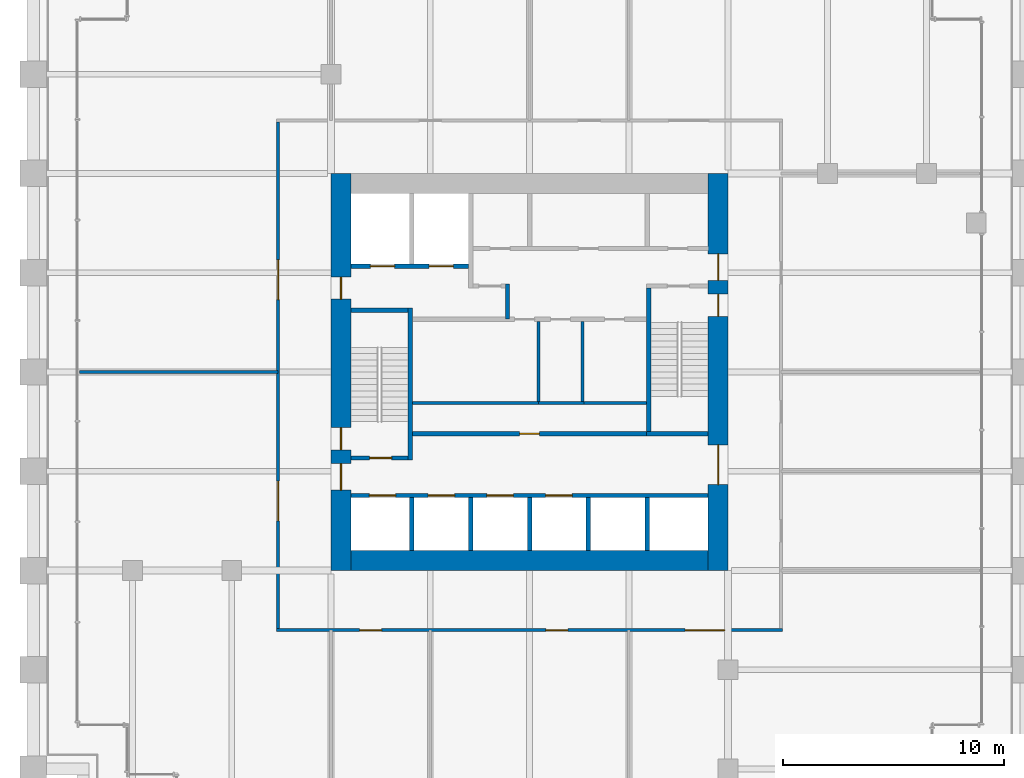
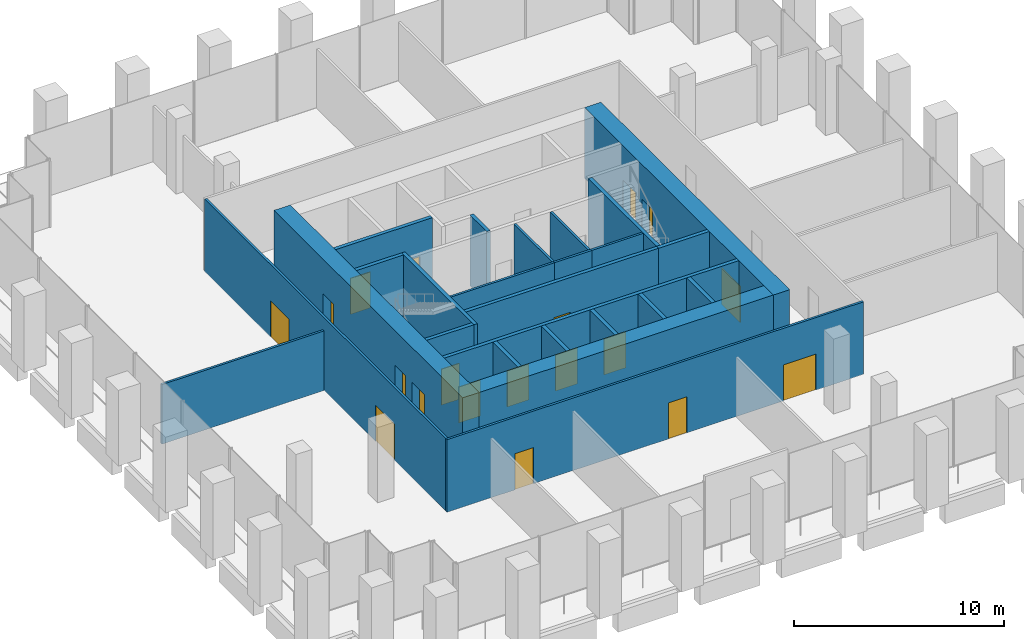
# One storey, part 30 of 36: 25 walls, 19 doors, 19 openings.
"""IFC4 building model written with IfcOpenShell, lengths in metres."""

from ifc_helpers import new_model, si_unit, direction, frame, frame_2d, origin, place, context, subcontext, project, spatial, rectangle, extrude, material, layer, layer_set, type_object, element, fill, save


model = new_model("IFC4")

# Units and contexts
model_context = context("Model", 3, precision=1e-05, world=origin(), true_north=direction((0.0, 1.0)))
body_context = subcontext(model_context, "Body", "Model", "MODEL_VIEW")
ifc_project = project(units=[si_unit("LENGTHUNIT", "METRE"), si_unit("AREAUNIT", "SQUARE_METRE"), si_unit("VOLUMEUNIT", "CUBIC_METRE"), si_unit("PLANEANGLEUNIT", "RADIAN"), si_unit("MASSUNIT", "GRAM", prefix="KILO")], contexts=[model_context])

# Site, building, storey
site_placement = place(None, origin())
site = spatial("IfcSite", under=ifc_project, at=site_placement, CompositionType="ELEMENT")
building_placement = place(site_placement, origin())
building = spatial("IfcBuilding", under=site, at=building_placement, Name="Altepetl Exchange Towers", CompositionType="ELEMENT")
storey_placement = place(building_placement, frame((0.0, 0.0, 38.60009765625)))
storey = spatial("IfcBuildingStorey", under=building, at=storey_placement, Name="L08", CompositionType="ELEMENT", Elevation=38.60009765625)

# Wall, openings, doors
ifc_material_1 = material(Name="Concrete C70/85", Category="concrete")
ifc_layer_1 = layer(ifc_material_1, 0.89990234375)
ifc_layer_set_1 = layer_set([ifc_layer_1], Name="Concrete C70/85")
wall_type_1 = type_object("IfcWallType", Name="Core wall 900 reinforced concrete", PredefinedType="SHEAR", material=ifc_layer_set_1)
wall_1_placement = place(storey_placement, frame((58.050048828125, 40.5, 0.0), z_axis=(0.0, 0.0, 1.0), x_axis=(0.0, 1.0, 0.0)))
wall_1 = element("IfcWall", 1, at=wall_1_placement, inside=storey, type_object=wall_type_1, Name="wall:A:L08:K-coreE", PredefinedType="SHEAR", context=body_context, shape_type="SweptSolid", body=[
    extrude(rectangle(XDim=18.0, YDim=0.89990234375, at=frame_2d((9.0, 0.0))), origin(), (0.0, 0.0, 1.0), 4.125),
])
opening_1_placement = place(wall_1_placement, frame((13.14990234375, 0.0, 0.0)))
opening_1 = element("IfcOpeningElement", 2, at=opening_1_placement, cuts=wall_1, Name="Opening L08.A60", PredefinedType="OPENING", context=body_context, shape_type="SweptSolid", body=[
    extrude(rectangle(XDim=1.199951171875, YDim=2.10009765625, at=frame_2d((0.60009765625, 1.050048828125))), frame((0.0, 0.4599609375, 0.0), z_axis=(0.0, -1.0, 0.0), x_axis=(1.0, 0.0, 0.0)), (0.0, 0.0, 1.0), 0.919921875),
])
opening_2_placement = place(wall_1_placement, frame((3.89990234375, 0.0, 0.0)))
opening_2 = element("IfcOpeningElement", 3, at=opening_2_placement, cuts=wall_1, Name="Opening L08.A61", PredefinedType="OPENING", context=body_context, shape_type="SweptSolid", body=[
    extrude(rectangle(XDim=1.800048828125, YDim=2.10009765625, at=frame_2d((0.89990234375, 1.050048828125))), frame((0.0, 0.4599609375, 0.0), z_axis=(0.0, -1.0, 0.0), x_axis=(1.0, 0.0, 0.0)), (0.0, 0.0, 1.0), 0.919921875),
])
opening_3_placement = place(wall_1_placement, frame((11.52490234375, 0.0, 0.0)))
opening_3 = element("IfcOpeningElement", 4, at=opening_3_placement, cuts=wall_1, Name="Opening L08.A66", PredefinedType="OPENING", context=body_context, shape_type="SweptSolid", body=[
    extrude(rectangle(XDim=1.0, YDim=2.10009765625, at=frame_2d((0.5, 1.050048828125))), frame((0.0, 0.4599609375, 0.0), z_axis=(0.0, -1.0, 0.0), x_axis=(1.0, 0.0, 0.0)), (0.0, 0.0, 1.0), 0.919921875),
])
ifc_material_2 = material(Name="Steel and timber fire door", Category="steel")
door_type_1 = type_object("IfcDoorType", Name="Fire door 1000 x 2100 stair and lobby", OperationType="SINGLE_SWING_LEFT", PredefinedType="DOOR", material=ifc_material_2)
door_1_placement = place(opening_3_placement, origin())
door_1 = element("IfcDoor", 5, at=door_1_placement, inside=storey, type_object=door_type_1, Name="door:A:L08:K-dS2x", OperationType="SINGLE_SWING_RIGHT", OverallHeight=2.10009765625, OverallWidth=1.0, PredefinedType="DOOR", context=body_context, shape_type="SweptSolid", body=[
    extrude(rectangle(XDim=1.0, YDim=2.10009765625, at=frame_2d((0.5, 1.050048828125))), frame((0.0, 0.02490234375, 0.0), z_axis=(0.0, -1.0, 0.0), x_axis=(1.0, 0.0, 0.0)), (0.0, 0.0, 1.0), 0.050048828125),
])
fill(opening_3, door_1)
door_type_2 = type_object("IfcDoorType", Name="Fire door 1200 x 2100 lobby entry", OperationType="SINGLE_SWING_LEFT", PredefinedType="DOOR", material=ifc_material_2)
door_2_placement = place(opening_1_placement, origin())
door_2 = element("IfcDoor", 6, at=door_2_placement, inside=storey, type_object=door_type_2, Name="door:A:L08:K-dLNE", OperationType="SINGLE_SWING_RIGHT", OverallHeight=2.10009765625, OverallWidth=1.199951171875, PredefinedType="DOOR", context=body_context, shape_type="SweptSolid", body=[
    extrude(rectangle(XDim=1.199951171875, YDim=2.10009765625, at=frame_2d((0.60009765625, 1.050048828125))), frame((0.0, 0.02490234375, 0.0), z_axis=(0.0, -1.0, 0.0), x_axis=(1.0, 0.0, 0.0)), (0.0, 0.0, 1.0), 0.050048828125),
])
fill(opening_1, door_2)
door_type_3 = type_object("IfcDoorType", Name="Fire door 1800 x 2100 lobby entry", OperationType="DOUBLE_DOOR_SINGLE_SWING", PredefinedType="DOOR", material=ifc_material_2)
door_3_placement = place(opening_2_placement, origin())
door_3 = element("IfcDoor", 7, at=door_3_placement, inside=storey, type_object=door_type_3, Name="door:A:L08:K-dLSE", OperationType="DOUBLE_DOOR_SINGLE_SWING", OverallHeight=2.10009765625, OverallWidth=1.800048828125, PredefinedType="DOOR", context=body_context, shape_type="SweptSolid", body=[
    extrude(rectangle(XDim=1.800048828125, YDim=2.10009765625, at=frame_2d((0.89990234375, 1.050048828125))), frame((0.0, 0.02490234375, 0.0), z_axis=(0.0, -1.0, 0.0), x_axis=(1.0, 0.0, 0.0)), (0.0, 0.0, 1.0), 0.050048828125),
])
fill(opening_2, door_3)

# Wall
wall_2_placement = place(storey_placement, frame((41.39990234375, 40.949951171875, 0.0)))
element("IfcWall", 8, at=wall_2_placement, inside=storey, type_object=wall_type_1, Name="wall:A:L08:K-coreS", PredefinedType="SHEAR", context=body_context, shape_type="SweptSolid", body=[
    extrude(rectangle(XDim=16.2001953125, YDim=0.89990234375, at=frame_2d((8.10009765625, 0.0))), origin(), (0.0, 0.0, 1.0), 4.125),
])

# Wall, openings, doors
wall_3_placement = place(storey_placement, frame((40.949951171875, 40.5, 0.0), z_axis=(0.0, 0.0, 1.0), x_axis=(0.0, 1.0, 0.0)))
wall_3 = element("IfcWall", 9, at=wall_3_placement, inside=storey, type_object=wall_type_1, Name="wall:A:L08:K-coreW", PredefinedType="SHEAR", context=body_context, shape_type="SweptSolid", body=[
    extrude(rectangle(XDim=18.0, YDim=0.89990234375, at=frame_2d((9.0, 0.0))), origin(), (0.0, 0.0, 1.0), 4.125),
])
opening_4_placement = place(wall_3_placement, frame((3.64990234375, 0.0, 0.0)))
opening_4 = element("IfcOpeningElement", 10, at=opening_4_placement, cuts=wall_3, Name="Opening L08.A62", PredefinedType="OPENING", context=body_context, shape_type="SweptSolid", body=[
    extrude(rectangle(XDim=1.199951171875, YDim=2.10009765625, at=frame_2d((0.60009765625, 1.050048828125))), frame((0.0, 0.4599609375, 0.0), z_axis=(0.0, -1.0, 0.0), x_axis=(1.0, 0.0, 0.0)), (0.0, 0.0, 1.0), 0.919921875),
])
opening_5_placement = place(wall_3_placement, frame((5.47509765625, 0.0, 0.0)))
opening_5 = element("IfcOpeningElement", 11, at=opening_5_placement, cuts=wall_3, Name="Opening L08.A64", PredefinedType="OPENING", context=body_context, shape_type="SweptSolid", body=[
    extrude(rectangle(XDim=1.0, YDim=2.10009765625, at=frame_2d((0.5, 1.050048828125))), frame((0.0, 0.4599609375, 0.0), z_axis=(0.0, -1.0, 0.0), x_axis=(1.0, 0.0, 0.0)), (0.0, 0.0, 1.0), 0.919921875),
])
opening_6_placement = place(wall_3_placement, frame((12.300048828125, 0.0, 0.0)))
opening_6 = element("IfcOpeningElement", 12, at=opening_6_placement, cuts=wall_3, Name="Opening L08.A68", PredefinedType="OPENING", context=body_context, shape_type="SweptSolid", body=[
    extrude(rectangle(XDim=1.0, YDim=2.10009765625, at=frame_2d((0.5, 1.050048828125))), frame((0.0, 0.4599609375, 0.0), z_axis=(0.0, -1.0, 0.0), x_axis=(1.0, 0.0, 0.0)), (0.0, 0.0, 1.0), 0.919921875),
])
door_4_placement = place(opening_5_placement, frame((1.0, 0.0, 0.0), x_axis=(-1.0, 0.0, 0.0)))
door_4 = element("IfcDoor", 13, at=door_4_placement, inside=storey, type_object=door_type_1, Name="door:A:L08:K-dS1x", OperationType="SINGLE_SWING_RIGHT", OverallHeight=2.10009765625, OverallWidth=1.0, PredefinedType="DOOR", context=body_context, shape_type="SweptSolid", body=[
    extrude(rectangle(XDim=1.0, YDim=2.10009765625, at=frame_2d((0.5, 1.050048828125))), frame((0.0, 0.02490234375, 0.0), z_axis=(0.0, -1.0, 0.0), x_axis=(1.0, 0.0, 0.0)), (0.0, 0.0, 1.0), 0.050048828125),
])
fill(opening_5, door_4)
door_5_placement = place(opening_6_placement, frame((1.0, 0.0, 0.0), x_axis=(-1.0, 0.0, 0.0)))
door_5 = element("IfcDoor", 14, at=door_5_placement, inside=storey, type_object=door_type_1, Name="door:A:L08:K-dffW", OperationType="SINGLE_SWING_LEFT", OverallHeight=2.10009765625, OverallWidth=1.0, PredefinedType="DOOR", context=body_context, shape_type="SweptSolid", body=[
    extrude(rectangle(XDim=1.0, YDim=2.10009765625, at=frame_2d((0.5, 1.050048828125))), frame((0.0, 0.02490234375, 0.0), z_axis=(0.0, -1.0, 0.0), x_axis=(1.0, 0.0, 0.0)), (0.0, 0.0, 1.0), 0.050048828125),
])
fill(opening_6, door_5)
door_6_placement = place(opening_4_placement, frame((1.199951171875, 0.0, 0.0), x_axis=(-1.0, 0.0, 0.0)))
door_6 = element("IfcDoor", 15, at=door_6_placement, inside=storey, type_object=door_type_2, Name="door:A:L08:K-dLSW", OperationType="SINGLE_SWING_LEFT", OverallHeight=2.10009765625, OverallWidth=1.199951171875, PredefinedType="DOOR", context=body_context, shape_type="SweptSolid", body=[
    extrude(rectangle(XDim=1.199951171875, YDim=2.10009765625, at=frame_2d((0.60009765625, 1.050048828125))), frame((0.0, 0.02490234375, 0.0), z_axis=(0.0, -1.0, 0.0), x_axis=(1.0, 0.0, 0.0)), (0.0, 0.0, 1.0), 0.050048828125),
])
fill(opening_4, door_6)

# Wall
ifc_material_3 = material(Name="Concrete blockwork", Category="masonry")
ifc_layer_2 = layer(ifc_material_3, 0.199951171875)
ifc_layer_set_2 = layer_set([ifc_layer_2], Name="Concrete blockwork")
wall_type_2 = type_object("IfcWallType", Name="Lobby wall 200 blockwork", PredefinedType="PARTITIONING", material=ifc_layer_set_2)
wall_4_placement = place(storey_placement, frame((48.5, 51.89990234375, 0.0), z_axis=(0.0, 0.0, 1.0), x_axis=(0.0, 1.0, 0.0)))
element("IfcWall", 16, at=wall_4_placement, inside=storey, type_object=wall_type_2, Name="wall:A:L08:K-ffE", PredefinedType="PARTITIONING", context=body_context, shape_type="SweptSolid", body=[
    extrude(rectangle(XDim=1.60009765625, YDim=0.199951171875, at=frame_2d((0.800048828125, 0.0))), origin(), (0.0, 0.0, 1.0), 4.125),
])

# Wall, opening, door
wall_5_placement = place(storey_placement, frame((44.199951171875, 46.699951171875, 0.0)))
wall_5 = element("IfcWall", 17, at=wall_5_placement, inside=storey, type_object=wall_type_2, Name="wall:A:L08:K-zoneS", PredefinedType="PARTITIONING", context=body_context, shape_type="SweptSolid", body=[
    extrude(rectangle(XDim=10.60009765625, YDim=0.199951171875, at=frame_2d((5.300048828125, 0.0))), origin(), (0.0, 0.0, 1.0), 4.125),
])
opening_7_placement = place(wall_5_placement, frame((4.85009765625, 0.0, 0.0)))
opening_7 = element("IfcOpeningElement", 18, at=opening_7_placement, cuts=wall_5, Name="Opening L08.A72", PredefinedType="OPENING", context=body_context, shape_type="SweptSolid", body=[
    extrude(rectangle(XDim=0.89990234375, YDim=2.10009765625, at=frame_2d((0.449951171875, 1.050048828125))), frame((0.0, 0.10986328125, 0.0), z_axis=(0.0, -1.0, 0.0), x_axis=(1.0, 0.0, 0.0)), (0.0, 0.0, 1.0), 0.219970703125),
])
door_type_4 = type_object("IfcDoorType", Name="Fire door 900 x 2100 service room", OperationType="SINGLE_SWING_LEFT", PredefinedType="DOOR", material=ifc_material_2)
door_7_placement = place(opening_7_placement, origin())
door_7 = element("IfcDoor", 19, at=door_7_placement, inside=storey, type_object=door_type_4, Name="door:A:L08:K-dz1", OperationType="SINGLE_SWING_LEFT", OverallHeight=2.10009765625, OverallWidth=0.89990234375, PredefinedType="DOOR", context=body_context, shape_type="SweptSolid", body=[
    extrude(rectangle(XDim=0.89990234375, YDim=2.10009765625, at=frame_2d((0.449951171875, 1.050048828125))), frame((0.0, 0.02490234375, 0.0), z_axis=(0.0, -1.0, 0.0), x_axis=(1.0, 0.0, 0.0)), (0.0, 0.0, 1.0), 0.050048828125),
])
fill(opening_7, door_7)

# Walls
ifc_material_4 = material(Name="Gypsum board on steel studs", Category="steel")
ifc_layer_3 = layer(ifc_material_4, 0.125)
ifc_layer_set_3 = layer_set([ifc_layer_3], Name="Gypsum board on steel studs")
wall_type_3 = type_object("IfcWallType", Name="Partition 125 gypsum board on steel studs", PredefinedType="PARTITIONING", material=ifc_layer_set_3)
wall_6_placement = place(storey_placement, frame((49.96240234375, 48.10009765625, 0.0), z_axis=(0.0, 0.0, 1.0), x_axis=(-1.0, 0.0, 0.0)))
element("IfcWall", 20, at=wall_6_placement, inside=storey, type_object=wall_type_3, Name="wall:A:L08:K-zp1", PredefinedType="PARTITIONING", context=body_context, shape_type="SweptSolid", body=[
    extrude(rectangle(XDim=5.762451171875, YDim=0.125, at=frame_2d((2.88134765625, 0.0))), origin(), (0.0, 0.0, 1.0), 4.125),
])
wall_7_placement = place(storey_placement, frame((51.96240234375, 48.10009765625, 0.0), z_axis=(0.0, 0.0, 1.0), x_axis=(-1.0, 0.0, 0.0)))
element("IfcWall", 21, at=wall_7_placement, inside=storey, type_object=wall_type_3, Name="wall:A:L08:K-zp2", PredefinedType="PARTITIONING", context=body_context, shape_type="SweptSolid", body=[
    extrude(rectangle(XDim=2.0625, YDim=0.125, at=frame_2d((1.03125, 0.0))), origin(), (0.0, 0.0, 1.0), 4.125),
])
wall_8_placement = place(storey_placement, frame((49.89990234375, 48.16259765625, 0.0), z_axis=(0.0, 0.0, 1.0), x_axis=(0.0, 1.0, 0.0)))
element("IfcWall", 22, at=wall_8_placement, inside=storey, type_object=wall_type_3, Name="wall:A:L08:K-zp3", PredefinedType="PARTITIONING", context=body_context, shape_type="SweptSolid", body=[
    extrude(rectangle(XDim=3.637451171875, YDim=0.125, at=frame_2d((1.81884765625, 0.0))), origin(), (0.0, 0.0, 1.0), 4.125),
])
wall_9_placement = place(storey_placement, frame((54.800048828125, 48.10009765625, 0.0), z_axis=(0.0, 0.0, 1.0), x_axis=(-1.0, 0.0, 0.0)))
element("IfcWall", 23, at=wall_9_placement, inside=storey, type_object=wall_type_3, Name="wall:A:L08:K-zp4", PredefinedType="PARTITIONING", context=body_context, shape_type="SweptSolid", body=[
    extrude(rectangle(XDim=2.900146484375, YDim=0.125, at=frame_2d((1.4501953125, 0.0))), origin(), (0.0, 0.0, 1.0), 4.125),
])
wall_10_placement = place(storey_placement, frame((51.89990234375, 48.16259765625, 0.0), z_axis=(0.0, 0.0, 1.0), x_axis=(0.0, 1.0, 0.0)))
element("IfcWall", 24, at=wall_10_placement, inside=storey, type_object=wall_type_3, Name="wall:A:L08:K-zp5", PredefinedType="PARTITIONING", context=body_context, shape_type="SweptSolid", body=[
    extrude(rectangle(XDim=3.637451171875, YDim=0.125, at=frame_2d((1.81884765625, 0.0))), origin(), (0.0, 0.0, 1.0), 4.125),
])

# Wall, openings, doors
wall_11_placement = place(storey_placement, frame((38.03759765625, 37.800048828125, 0.0)))
wall_11 = element("IfcWall", 25, at=wall_11_placement, inside=storey, type_object=wall_type_3, Name="wall:A:L08:P01", PredefinedType="PARTITIONING", context=body_context, shape_type="SweptSolid", body=[
    extrude(rectangle(XDim=22.9248046875, YDim=0.125, at=frame_2d((11.46240234375, 0.0))), origin(), (0.0, 0.0, 1.0), 4.224853515625),
])
opening_8_placement = place(wall_11_placement, frame((3.757568359375, 0.0, 0.0)))
opening_8 = element("IfcOpeningElement", 26, at=opening_8_placement, cuts=wall_11, Name="Opening L08.A02", PredefinedType="OPENING", context=body_context, shape_type="SweptSolid", body=[
    extrude(rectangle(XDim=1.0, YDim=2.10009765625, at=frame_2d((0.5, 1.050048828125))), frame((0.0, 0.072509765625, 0.0), z_axis=(0.0, -1.0, 0.0), x_axis=(1.0, 0.0, 0.0)), (0.0, 0.0, 1.0), 0.14501953125),
])
opening_9_placement = place(wall_11_placement, frame((12.20458984375, 0.0, 0.0)))
opening_9 = element("IfcOpeningElement", 27, at=opening_9_placement, cuts=wall_11, Name="Opening L08.A03", PredefinedType="OPENING", context=body_context, shape_type="SweptSolid", body=[
    extrude(rectangle(XDim=1.0, YDim=2.10009765625, at=frame_2d((0.5, 1.050048828125))), frame((0.0, 0.072509765625, 0.0), z_axis=(0.0, -1.0, 0.0), x_axis=(1.0, 0.0, 0.0)), (0.0, 0.0, 1.0), 0.14501953125),
])
opening_10_placement = place(wall_11_placement, frame((18.512451171875, 0.0, 0.0)))
opening_10 = element("IfcOpeningElement", 28, at=opening_10_placement, cuts=wall_11, Name="Opening L08.A04", PredefinedType="OPENING", context=body_context, shape_type="SweptSolid", body=[
    extrude(rectangle(XDim=1.800048828125, YDim=2.10009765625, at=frame_2d((0.89990234375, 1.050048828125))), frame((0.0, 0.072509765625, 0.0), z_axis=(0.0, -1.0, 0.0), x_axis=(1.0, 0.0, 0.0)), (0.0, 0.0, 1.0), 0.14501953125),
])
door_type_5 = type_object("IfcDoorType", Name="Fire door 1000 x 2100 single leaf", OperationType="SINGLE_SWING_LEFT", PredefinedType="DOOR", material=ifc_material_2)
door_8_placement = place(opening_8_placement, frame((1.0, 0.0, 0.0), x_axis=(-1.0, 0.0, 0.0)))
door_8 = element("IfcDoor", 29, at=door_8_placement, inside=storey, type_object=door_type_5, Name="door:A:L08:02", OperationType="SINGLE_SWING_RIGHT", OverallHeight=2.10009765625, OverallWidth=1.0, PredefinedType="DOOR", context=body_context, shape_type="SweptSolid", body=[
    extrude(rectangle(XDim=1.0, YDim=2.10009765625, at=frame_2d((0.5, 1.050048828125))), frame((0.0, 0.02490234375, 0.0), z_axis=(0.0, -1.0, 0.0), x_axis=(1.0, 0.0, 0.0)), (0.0, 0.0, 1.0), 0.050048828125),
])
fill(opening_8, door_8)
door_9_placement = place(opening_9_placement, frame((1.0, 0.0, 0.0), x_axis=(-1.0, 0.0, 0.0)))
door_9 = element("IfcDoor", 30, at=door_9_placement, inside=storey, type_object=door_type_5, Name="door:A:L08:03", OperationType="SINGLE_SWING_LEFT", OverallHeight=2.10009765625, OverallWidth=1.0, PredefinedType="DOOR", context=body_context, shape_type="SweptSolid", body=[
    extrude(rectangle(XDim=1.0, YDim=2.10009765625, at=frame_2d((0.5, 1.050048828125))), frame((0.0, 0.02490234375, 0.0), z_axis=(0.0, -1.0, 0.0), x_axis=(1.0, 0.0, 0.0)), (0.0, 0.0, 1.0), 0.050048828125),
])
fill(opening_9, door_9)
door_type_6 = type_object("IfcDoorType", Name="Fire door 1800 x 2100 double leaf", OperationType="DOUBLE_DOOR_SINGLE_SWING", PredefinedType="DOOR", material=ifc_material_2)
door_10_placement = place(opening_10_placement, frame((1.800048828125, 0.0, 0.0), x_axis=(-1.0, 0.0, 0.0)))
door_10 = element("IfcDoor", 31, at=door_10_placement, inside=storey, type_object=door_type_6, Name="door:A:L08:04", OperationType="DOUBLE_DOOR_SINGLE_SWING", OverallHeight=2.10009765625, OverallWidth=1.800048828125, PredefinedType="DOOR", context=body_context, shape_type="SweptSolid", body=[
    extrude(rectangle(XDim=1.800048828125, YDim=2.10009765625, at=frame_2d((0.89990234375, 1.050048828125))), frame((0.0, 0.02490234375, 0.0), z_axis=(0.0, -1.0, 0.0), x_axis=(1.0, 0.0, 0.0)), (0.0, 0.0, 1.0), 0.050048828125),
])
fill(opening_10, door_10)

# Wall
wall_12_placement = place(storey_placement, frame((29.10009765625, 49.5, 0.0)))
element("IfcWall", 32, at=wall_12_placement, inside=storey, type_object=wall_type_3, Name="wall:A:L08:P04", PredefinedType="PARTITIONING", context=body_context, shape_type="SweptSolid", body=[
    extrude(rectangle(XDim=9.0, YDim=0.125, at=frame_2d((4.5, 0.0))), origin(), (0.0, 0.0, 1.0), 3.466796875),
])

# Wall, openings, doors
wall_13_placement = place(storey_placement, frame((38.10009765625, 37.862548828125, 0.0), z_axis=(0.0, 0.0, 1.0), x_axis=(0.0, 1.0, 0.0)))
wall_13 = element("IfcWall", 33, at=wall_13_placement, inside=storey, type_object=wall_type_3, Name="wall:A:L08:P10", PredefinedType="PARTITIONING", context=body_context, shape_type="SweptSolid", body=[
    extrude(rectangle(XDim=22.974853515625, YDim=0.125, at=frame_2d((11.4873046875, 0.0))), origin(), (0.0, 0.0, 1.0), 4.224853515625),
])
opening_11_placement = place(wall_13_placement, frame((4.887451171875, 0.0, 0.0)))
opening_11 = element("IfcOpeningElement", 34, at=opening_11_placement, cuts=wall_13, Name="Opening L08.A01", PredefinedType="OPENING", context=body_context, shape_type="SweptSolid", body=[
    extrude(rectangle(XDim=1.800048828125, YDim=2.10009765625, at=frame_2d((0.89990234375, 1.050048828125))), frame((0.0, 0.072509765625, 0.0), z_axis=(0.0, -1.0, 0.0), x_axis=(1.0, 0.0, 0.0)), (0.0, 0.0, 1.0), 0.14501953125),
])
opening_12_placement = place(wall_13_placement, frame((14.91552734375, 0.0, 0.0)))
opening_12 = element("IfcOpeningElement", 35, at=opening_12_placement, cuts=wall_13, Name="Opening L08.A11", PredefinedType="OPENING", context=body_context, shape_type="SweptSolid", body=[
    extrude(rectangle(XDim=1.800048828125, YDim=2.10009765625, at=frame_2d((0.89990234375, 1.050048828125))), frame((0.0, 0.072509765625, 0.0), z_axis=(0.0, -1.0, 0.0), x_axis=(1.0, 0.0, 0.0)), (0.0, 0.0, 1.0), 0.14501953125),
])
door_11_placement = place(opening_11_placement, origin())
door_11 = element("IfcDoor", 36, at=door_11_placement, inside=storey, type_object=door_type_6, Name="door:A:L08:01", OperationType="DOUBLE_DOOR_SINGLE_SWING", OverallHeight=2.10009765625, OverallWidth=1.800048828125, PredefinedType="DOOR", context=body_context, shape_type="SweptSolid", body=[
    extrude(rectangle(XDim=1.800048828125, YDim=2.10009765625, at=frame_2d((0.89990234375, 1.050048828125))), frame((0.0, 0.02490234375, 0.0), z_axis=(0.0, -1.0, 0.0), x_axis=(1.0, 0.0, 0.0)), (0.0, 0.0, 1.0), 0.050048828125),
])
fill(opening_11, door_11)
door_12_placement = place(opening_12_placement, origin())
door_12 = element("IfcDoor", 37, at=door_12_placement, inside=storey, type_object=door_type_6, Name="door:A:L08:11", OperationType="DOUBLE_DOOR_SINGLE_SWING", OverallHeight=2.10009765625, OverallWidth=1.800048828125, PredefinedType="DOOR", context=body_context, shape_type="SweptSolid", body=[
    extrude(rectangle(XDim=1.800048828125, YDim=2.10009765625, at=frame_2d((0.89990234375, 1.050048828125))), frame((0.0, 0.02490234375, 0.0), z_axis=(0.0, -1.0, 0.0), x_axis=(1.0, 0.0, 0.0)), (0.0, 0.0, 1.0), 0.050048828125),
])
fill(opening_12, door_12)

# Walls
ifc_material_5 = material(Name="Concrete C40/50", Category="concrete")
ifc_layer_4 = layer(ifc_material_5, 0.199951171875)
ifc_layer_set_4 = layer_set([ifc_layer_4], Name="Concrete C40/50")
wall_type_4 = type_object("IfcWallType", Name="Shaft wall 200 reinforced concrete", PredefinedType="SHEAR", material=ifc_layer_set_4)
for number, where, z_axis, x_axis, name in (
    (38, (44.166748046875, 41.39990234375, 0.0), (0.0, 0.0, 1.0), (0.0, 1.0, 0.0), "wall:A:L08:K-divS1"),
    (39, (46.833251953125, 41.39990234375, 0.0), (0.0, 0.0, 1.0), (0.0, 1.0, 0.0), "wall:A:L08:K-divS2"),
    (40, (49.5, 41.39990234375, 0.0), (0.0, 0.0, 1.0), (0.0, 1.0, 0.0), "wall:A:L08:K-divS3"),
    (41, (52.166748046875, 41.39990234375, 0.0), (0.0, 0.0, 1.0), (0.0, 1.0, 0.0), "wall:A:L08:K-divS4"),
    (42, (54.833251953125, 41.39990234375, 0.0), (0.0, 0.0, 1.0), (0.0, 1.0, 0.0), "wall:A:L08:K-divS5"),
):
    element("IfcWall", number, at=place(storey_placement, frame(where, z_axis=z_axis, x_axis=x_axis)), inside=storey, type_object=wall_type_4, Name=name, PredefinedType="SHEAR", context=body_context, shape_type="SweptSolid", body=[
        extrude(rectangle(XDim=2.400146484375, YDim=0.199951171875, at=frame_2d((1.2001953125, 0.0))), origin(), (0.0, 0.0, 1.0), 4.125),
    ])

# Wall, openings, doors
wall_14_placement = place(storey_placement, frame((41.39990234375, 54.300048828125, 0.0)))
wall_14 = element("IfcWall", 43, at=wall_14_placement, inside=storey, type_object=wall_type_4, Name="wall:A:L08:K-frontNd", PredefinedType="SHEAR", context=body_context, shape_type="SweptSolid", body=[
    extrude(rectangle(XDim=5.33349609375, YDim=0.199951171875, at=frame_2d((2.666748046875, 0.0))), origin(), (0.0, 0.0, 1.0), 4.125),
])
opening_13_placement = place(wall_14_placement, frame((0.88330078125, 0.0, 0.0)))
opening_13 = element("IfcOpeningElement", 44, at=opening_13_placement, cuts=wall_14, Name="Opening L08.A76", PredefinedType="OPENING", context=body_context, shape_type="SweptSolid", body=[
    extrude(rectangle(XDim=1.10009765625, YDim=2.10009765625, at=frame_2d((0.550048828125, 1.050048828125))), frame((0.0, 0.10986328125, 0.0), z_axis=(0.0, -1.0, 0.0), x_axis=(1.0, 0.0, 0.0)), (0.0, 0.0, 1.0), 0.219970703125),
])
opening_14_placement = place(wall_14_placement, frame((3.550048828125, 0.0, 0.0)))
opening_14 = element("IfcOpeningElement", 45, at=opening_14_placement, cuts=wall_14, Name="Opening L08.A77", PredefinedType="OPENING", context=body_context, shape_type="SweptSolid", body=[
    extrude(rectangle(XDim=1.10009765625, YDim=2.10009765625, at=frame_2d((0.550048828125, 1.050048828125))), frame((0.0, 0.10986328125, 0.0), z_axis=(0.0, -1.0, 0.0), x_axis=(1.0, 0.0, 0.0)), (0.0, 0.0, 1.0), 0.219970703125),
])
ifc_material_6 = material(Name="Stainless steel", Category="steel")
door_type_7 = type_object("IfcDoorType", Name="Lift landing door 1100 x 2100", OperationType="SLIDING_TO_LEFT", PredefinedType="DOOR", material=ifc_material_6)
door_13_placement = place(opening_13_placement, origin())
door_13 = element("IfcDoor", 46, at=door_13_placement, inside=storey, type_object=door_type_7, Name="Landing door FFL1", OperationType="SLIDING_TO_LEFT", OverallHeight=2.10009765625, OverallWidth=1.10009765625, PredefinedType="DOOR", context=body_context, shape_type="SweptSolid", body=[
    extrude(rectangle(XDim=1.10009765625, YDim=2.10009765625, at=frame_2d((0.550048828125, 1.050048828125))), frame((0.0, 0.02490234375, 0.0), z_axis=(0.0, -1.0, 0.0), x_axis=(1.0, 0.0, 0.0)), (0.0, 0.0, 1.0), 0.050048828125),
])
fill(opening_13, door_13)
door_14_placement = place(opening_14_placement, origin())
door_14 = element("IfcDoor", 47, at=door_14_placement, inside=storey, type_object=door_type_7, Name="Landing door FFL2", OperationType="SLIDING_TO_LEFT", OverallHeight=2.10009765625, OverallWidth=1.10009765625, PredefinedType="DOOR", context=body_context, shape_type="SweptSolid", body=[
    extrude(rectangle(XDim=1.10009765625, YDim=2.10009765625, at=frame_2d((0.550048828125, 1.050048828125))), frame((0.0, 0.02490234375, 0.0), z_axis=(0.0, -1.0, 0.0), x_axis=(1.0, 0.0, 0.0)), (0.0, 0.0, 1.0), 0.050048828125),
])
fill(opening_14, door_14)

wall_15_placement = place(storey_placement, frame((41.39990234375, 43.89990234375, 0.0)))
wall_15 = element("IfcWall", 48, at=wall_15_placement, inside=storey, type_object=wall_type_4, Name="wall:A:L08:K-frontS", PredefinedType="SHEAR", context=body_context, shape_type="SweptSolid", body=[
    extrude(rectangle(XDim=16.2001953125, YDim=0.199951171875, at=frame_2d((8.10009765625, 0.0))), origin(), (0.0, 0.0, 1.0), 4.125),
])
opening_15_placement = place(wall_15_placement, frame((0.833251953125, 0.0, 0.0)))
opening_15 = element("IfcOpeningElement", 49, at=opening_15_placement, cuts=wall_15, Name="Opening L08.A78", PredefinedType="OPENING", context=body_context, shape_type="SweptSolid", body=[
    extrude(rectangle(XDim=1.199951171875, YDim=2.10009765625, at=frame_2d((0.60009765625, 1.050048828125))), frame((0.0, 0.10986328125, 0.0), z_axis=(0.0, -1.0, 0.0), x_axis=(1.0, 0.0, 0.0)), (0.0, 0.0, 1.0), 0.219970703125),
])
opening_16_placement = place(wall_15_placement, frame((3.5, 0.0, 0.0)))
opening_16 = element("IfcOpeningElement", 50, at=opening_16_placement, cuts=wall_15, Name="Opening L08.A79", PredefinedType="OPENING", context=body_context, shape_type="SweptSolid", body=[
    extrude(rectangle(XDim=1.199951171875, YDim=2.10009765625, at=frame_2d((0.60009765625, 1.050048828125))), frame((0.0, 0.10986328125, 0.0), z_axis=(0.0, -1.0, 0.0), x_axis=(1.0, 0.0, 0.0)), (0.0, 0.0, 1.0), 0.219970703125),
])
opening_17_placement = place(wall_15_placement, frame((6.166748046875, 0.0, 0.0)))
opening_17 = element("IfcOpeningElement", 51, at=opening_17_placement, cuts=wall_15, Name="Opening L08.A80", PredefinedType="OPENING", context=body_context, shape_type="SweptSolid", body=[
    extrude(rectangle(XDim=1.199951171875, YDim=2.10009765625, at=frame_2d((0.60009765625, 1.050048828125))), frame((0.0, 0.10986328125, 0.0), z_axis=(0.0, -1.0, 0.0), x_axis=(1.0, 0.0, 0.0)), (0.0, 0.0, 1.0), 0.219970703125),
])
opening_18_placement = place(wall_15_placement, frame((8.833251953125, 0.0, 0.0)))
opening_18 = element("IfcOpeningElement", 52, at=opening_18_placement, cuts=wall_15, Name="Opening L08.A81", PredefinedType="OPENING", context=body_context, shape_type="SweptSolid", body=[
    extrude(rectangle(XDim=1.199951171875, YDim=2.10009765625, at=frame_2d((0.60009765625, 1.050048828125))), frame((0.0, 0.10986328125, 0.0), z_axis=(0.0, -1.0, 0.0), x_axis=(1.0, 0.0, 0.0)), (0.0, 0.0, 1.0), 0.219970703125),
])
door_type_8 = type_object("IfcDoorType", Name="Lift landing door 1200 x 2100", OperationType="SLIDING_TO_LEFT", PredefinedType="DOOR", material=ifc_material_6)
door_15_placement = place(opening_15_placement, origin())
door_15 = element("IfcDoor", 53, at=door_15_placement, inside=storey, type_object=door_type_8, Name="Landing door P1", OperationType="SLIDING_TO_LEFT", OverallHeight=2.10009765625, OverallWidth=1.199951171875, PredefinedType="DOOR", context=body_context, shape_type="SweptSolid", body=[
    extrude(rectangle(XDim=1.199951171875, YDim=2.10009765625, at=frame_2d((0.60009765625, 1.050048828125))), frame((0.0, 0.02490234375, 0.0), z_axis=(0.0, -1.0, 0.0), x_axis=(1.0, 0.0, 0.0)), (0.0, 0.0, 1.0), 0.050048828125),
])
fill(opening_15, door_15)
door_16_placement = place(opening_16_placement, origin())
door_16 = element("IfcDoor", 54, at=door_16_placement, inside=storey, type_object=door_type_8, Name="Landing door P2", OperationType="SLIDING_TO_LEFT", OverallHeight=2.10009765625, OverallWidth=1.199951171875, PredefinedType="DOOR", context=body_context, shape_type="SweptSolid", body=[
    extrude(rectangle(XDim=1.199951171875, YDim=2.10009765625, at=frame_2d((0.60009765625, 1.050048828125))), frame((0.0, 0.02490234375, 0.0), z_axis=(0.0, -1.0, 0.0), x_axis=(1.0, 0.0, 0.0)), (0.0, 0.0, 1.0), 0.050048828125),
])
fill(opening_16, door_16)
door_17_placement = place(opening_17_placement, origin())
door_17 = element("IfcDoor", 55, at=door_17_placement, inside=storey, type_object=door_type_8, Name="Landing door P3", OperationType="SLIDING_TO_LEFT", OverallHeight=2.10009765625, OverallWidth=1.199951171875, PredefinedType="DOOR", context=body_context, shape_type="SweptSolid", body=[
    extrude(rectangle(XDim=1.199951171875, YDim=2.10009765625, at=frame_2d((0.60009765625, 1.050048828125))), frame((0.0, 0.02490234375, 0.0), z_axis=(0.0, -1.0, 0.0), x_axis=(1.0, 0.0, 0.0)), (0.0, 0.0, 1.0), 0.050048828125),
])
fill(opening_17, door_17)
door_18_placement = place(opening_18_placement, origin())
door_18 = element("IfcDoor", 56, at=door_18_placement, inside=storey, type_object=door_type_8, Name="Landing door P4", OperationType="SLIDING_TO_LEFT", OverallHeight=2.10009765625, OverallWidth=1.199951171875, PredefinedType="DOOR", context=body_context, shape_type="SweptSolid", body=[
    extrude(rectangle(XDim=1.199951171875, YDim=2.10009765625, at=frame_2d((0.60009765625, 1.050048828125))), frame((0.0, 0.02490234375, 0.0), z_axis=(0.0, -1.0, 0.0), x_axis=(1.0, 0.0, 0.0)), (0.0, 0.0, 1.0), 0.050048828125),
])
fill(opening_18, door_18)

# Walls
ifc_layer_5 = layer(ifc_material_5, 0.199951171875)
ifc_layer_set_5 = layer_set([ifc_layer_5], Name="Concrete C40/50")
wall_type_5 = type_object("IfcWallType", Name="Stair wall 200 reinforced concrete", PredefinedType="SHEAR", material=ifc_layer_set_5)
wall_16_placement = place(storey_placement, frame((44.10009765625, 45.5, 0.0), z_axis=(0.0, 0.0, 1.0), x_axis=(0.0, 1.0, 0.0)))
element("IfcWall", 57, at=wall_16_placement, inside=storey, type_object=wall_type_5, Name="wall:A:L08:K-stS1E", PredefinedType="SHEAR", context=body_context, shape_type="SweptSolid", body=[
    extrude(rectangle(XDim=6.89990234375, YDim=0.199951171875, at=frame_2d((3.449951171875, 0.0))), origin(), (0.0, 0.0, 1.0), 4.125),
])
wall_17_placement = place(storey_placement, frame((41.39990234375, 52.300048828125, 0.0)))
element("IfcWall", 58, at=wall_17_placement, inside=storey, type_object=wall_type_5, Name="wall:A:L08:K-stS1N", PredefinedType="SHEAR", context=body_context, shape_type="SweptSolid", body=[
    extrude(rectangle(XDim=2.60009765625, YDim=0.199951171875, at=frame_2d((1.300048828125, 0.0))), origin(), (0.0, 0.0, 1.0), 4.125),
])

# Wall, opening, door
wall_18_placement = place(storey_placement, frame((41.39990234375, 45.60009765625, 0.0)))
wall_18 = element("IfcWall", 59, at=wall_18_placement, inside=storey, type_object=wall_type_5, Name="wall:A:L08:K-stS1S", PredefinedType="SHEAR", context=body_context, shape_type="SweptSolid", body=[
    extrude(rectangle(XDim=2.60009765625, YDim=0.199951171875, at=frame_2d((1.300048828125, 0.0))), origin(), (0.0, 0.0, 1.0), 4.125),
])
opening_19_placement = place(wall_18_placement, frame((0.85009765625, 0.0, 0.0)))
opening_19 = element("IfcOpeningElement", 60, at=opening_19_placement, cuts=wall_18, Name="Opening L08.A63", PredefinedType="OPENING", context=body_context, shape_type="SweptSolid", body=[
    extrude(rectangle(XDim=1.0, YDim=2.10009765625, at=frame_2d((0.5, 1.050048828125))), frame((0.0, 0.10986328125, 0.0), z_axis=(0.0, -1.0, 0.0), x_axis=(1.0, 0.0, 0.0)), (0.0, 0.0, 1.0), 0.219970703125),
])
door_19_placement = place(opening_19_placement, origin())
door_19 = element("IfcDoor", 61, at=door_19_placement, inside=storey, type_object=door_type_1, Name="door:A:L08:K-dS1in", OperationType="SINGLE_SWING_RIGHT", OverallHeight=2.10009765625, OverallWidth=1.0, PredefinedType="DOOR", context=body_context, shape_type="SweptSolid", body=[
    extrude(rectangle(XDim=1.0, YDim=2.10009765625, at=frame_2d((0.5, 1.050048828125))), frame((0.0, 0.02490234375, 0.0), z_axis=(0.0, -1.0, 0.0), x_axis=(1.0, 0.0, 0.0)), (0.0, 0.0, 1.0), 0.050048828125),
])
fill(opening_19, door_19)

# Walls
wall_19_placement = place(storey_placement, frame((54.800048828125, 46.699951171875, 0.0)))
element("IfcWall", 62, at=wall_19_placement, inside=storey, type_object=wall_type_5, Name="wall:A:L08:K-stS2S", PredefinedType="SHEAR", context=body_context, shape_type="SweptSolid", body=[
    extrude(rectangle(XDim=2.800048828125, YDim=0.199951171875, at=frame_2d((1.39990234375, 0.0))), origin(), (0.0, 0.0, 1.0), 4.125),
])
wall_20_placement = place(storey_placement, frame((54.89990234375, 46.800048828125, 0.0), z_axis=(0.0, 0.0, 1.0), x_axis=(0.0, 1.0, 0.0)))
element("IfcWall", 63, at=wall_20_placement, inside=storey, type_object=wall_type_5, Name="wall:A:L08:K-stS2W", PredefinedType="SHEAR", context=body_context, shape_type="SweptSolid", body=[
    extrude(rectangle(XDim=6.5, YDim=0.199951171875, at=frame_2d((3.25, 0.0))), origin(), (0.0, 0.0, 1.0), 4.125),
])

save(model, "model.ifc")
